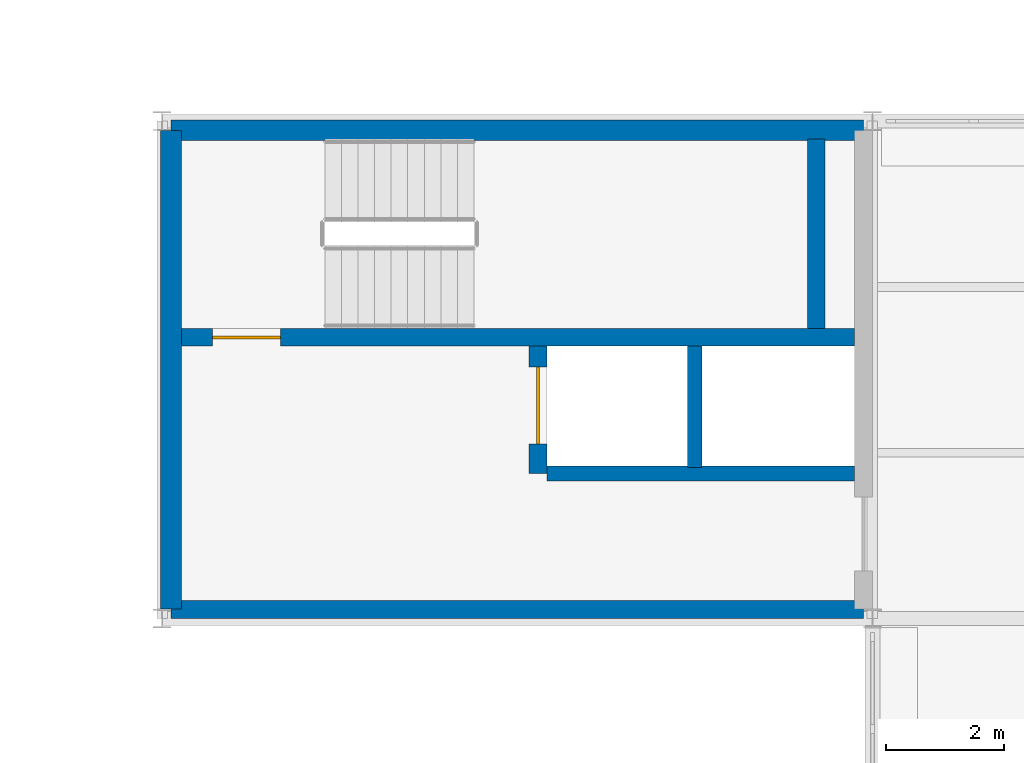
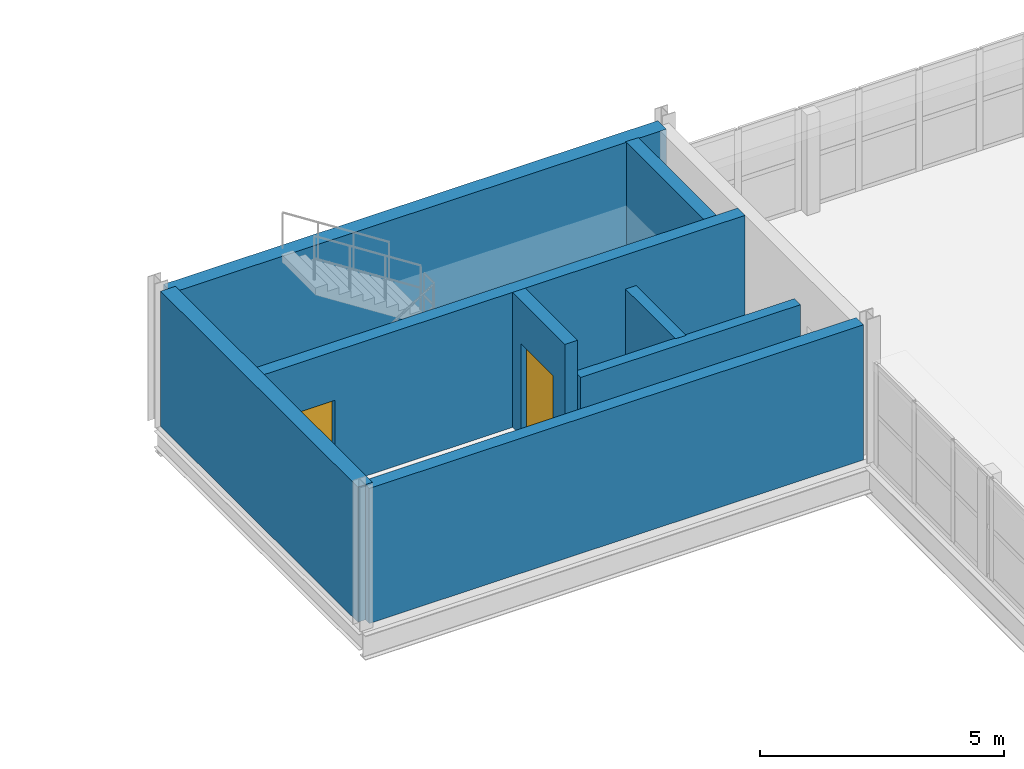
# One storey, part 64 of 79: 8 walls, 2 doors, 2 openings.
"""IFC4 building model written with IfcOpenShell, lengths in metres."""

from ifc_helpers import new_model, si_unit, direction, frame, frame_2d, origin, place, context, subcontext, project, spatial, rectangle, extrude, material, layer, layer_set, type_object, element, fill, save


model = new_model("IFC4")

# Units and contexts
model_context = context("Model", 3, precision=1e-05, world=origin(), true_north=direction((0.0, 1.0)))
body_context = subcontext(model_context, "Body", "Model", "MODEL_VIEW")
ifc_project = project(units=[si_unit("LENGTHUNIT", "METRE"), si_unit("AREAUNIT", "SQUARE_METRE"), si_unit("VOLUMEUNIT", "CUBIC_METRE"), si_unit("PLANEANGLEUNIT", "RADIAN"), si_unit("MASSUNIT", "GRAM", prefix="KILO"), si_unit("THERMODYNAMICTEMPERATUREUNIT", "KELVIN"), si_unit("POWERUNIT", "WATT")], contexts=[model_context])

# Site, building, storey
site_placement = place(None, origin())
site = spatial("IfcSite", under=ifc_project, at=site_placement, CompositionType="ELEMENT")
building_placement = place(site_placement, origin())
building = spatial("IfcBuilding", under=site, at=building_placement, Name="Tembeka Court Mobility Hub", CompositionType="ELEMENT")
storey_placement = place(building_placement, frame((0.0, 0.0, 9.0)))
storey = spatial("IfcBuildingStorey", under=building, at=storey_placement, Name="L02", CompositionType="ELEMENT", Elevation=9.0)

# Walls
ifc_material_1 = material(Name="Concrete C40/50", Category="concrete")
ifc_layer_1 = layer(ifc_material_1, 0.25)
ifc_layer_set_1 = layer_set([ifc_layer_1], Name="Concrete C40/50")
wall_type_1 = type_object("IfcWallType", Name="WL-IW01", PredefinedType="PARTITIONING", material=ifc_layer_set_1)
wall_1_placement = place(storey_placement, frame((122.89990234375, 40.85009765625, 0.0), z_axis=(0.0, 0.0, 1.0), x_axis=(1.0, 0.0, 0.0)))
element("IfcWall", 1, at=wall_1_placement, inside=storey, type_object=wall_type_1, Name="Wall IW01 (IW-L02-0283)", PredefinedType="PARTITIONING", context=body_context, shape_type="SweptSolid", body=[
    extrude(rectangle(XDim=5.2001953125, YDim=0.25, at=frame_2d((2.60009765625, 0.0))), origin(), (0.0, 0.0, 1.0), 2.52490234375),
])
wall_2_placement = place(storey_placement, frame((125.39990234375, 40.949951171875, 0.0), z_axis=(0.0, 0.0, 1.0), x_axis=(0.0, 1.0, 0.0)))
element("IfcWall", 2, at=wall_2_placement, inside=storey, type_object=wall_type_1, Name="Wall IW01 (IW-L02-0284)", PredefinedType="PARTITIONING", context=body_context, shape_type="SweptSolid", body=[
    extrude(rectangle(XDim=2.050048828125, YDim=0.25, at=frame_2d((1.02490234375, 0.0))), origin(), (0.0, 0.0, 1.0), 2.52490234375),
])
ifc_layer_2 = layer(ifc_material_1, 0.300048828125)
ifc_layer_set_2 = layer_set([ifc_layer_2], Name="Concrete C40/50")
wall_type_2 = type_object("IfcWallType", Name="WL-SW01", PredefinedType="SHEAR", material=ifc_layer_set_2)
wall_3_placement = place(storey_placement, frame((116.552490234375, 38.550048828125, 0.0), z_axis=(0.0, 0.0, 1.0), x_axis=(1.0, 0.0, 0.0)))
element("IfcWall", 3, at=wall_3_placement, inside=storey, type_object=wall_type_2, Name="Wall SW01 (IW-L02-0277)", PredefinedType="SHEAR", context=body_context, shape_type="SweptSolid", body=[
    extrude(rectangle(XDim=11.695068359375, YDim=0.300048828125, at=frame_2d((5.84765625, 0.0))), origin(), (0.0, 0.0, 1.0), 3.3798828125),
])
wall_4_placement = place(storey_placement, frame((127.449951171875, 43.300048828125, 0.0), z_axis=(0.0, 0.0, 1.0), x_axis=(0.0, 1.0, 0.0)))
element("IfcWall", 4, at=wall_4_placement, inside=storey, type_object=wall_type_2, Name="Wall SW01 (IW-L02-0280)", PredefinedType="SHEAR", context=body_context, shape_type="SweptSolid", body=[
    extrude(rectangle(XDim=3.199951171875, YDim=0.300048828125, at=frame_2d((1.60009765625, 0.0))), origin(), (0.0, 0.0, 1.0), 3.3798828125),
])

# Wall, opening, door
wall_5_placement = place(storey_placement, frame((116.699951171875, 43.14990234375, 0.0), z_axis=(0.0, 0.0, 1.0), x_axis=(1.0, 0.0, 0.0)))
wall_5 = element("IfcWall", 5, at=wall_5_placement, inside=storey, type_object=wall_type_2, Name="Wall SW01 (IW-L02-0281)", PredefinedType="SHEAR", context=body_context, shape_type="SweptSolid", body=[
    extrude(rectangle(XDim=11.400146484375, YDim=0.300048828125, at=frame_2d((5.7001953125, 0.0))), origin(), (0.0, 0.0, 1.0), 3.3798828125),
])
opening_1_placement = place(wall_5_placement, frame((0.550048828125, 0.0, 0.0)))
opening_1 = element("IfcOpeningElement", 6, at=opening_1_placement, cuts=wall_5, Name="Opening FD03", PredefinedType="OPENING", context=body_context, shape_type="SweptSolid", body=[
    extrude(rectangle(XDim=1.14990234375, YDim=2.14990234375, at=frame_2d((0.574951171875, 1.074951171875))), frame((0.0, 0.16015625, 0.0), z_axis=(0.0, -1.0, 0.0), x_axis=(1.0, 0.0, 0.0)), (0.0, 0.0, 1.0), 0.320068359375),
])
ifc_material_2 = material(Name="Galvanised steel fire/shutter doorset", Category="steel")
door_type_1 = type_object("IfcDoorType", Name="DR-FD03", OperationType="NOTDEFINED", PredefinedType="DOOR", material=ifc_material_2)
door_1_placement = place(opening_1_placement, origin())
door_1 = element("IfcDoor", 7, at=door_1_placement, inside=storey, type_object=door_type_1, Name="Door FD03-0125", OperationType="SINGLE_SWING_LEFT", OverallHeight=2.14990234375, OverallWidth=1.14990234375, PredefinedType="DOOR", context=body_context, shape_type="SweptSolid", body=[
    extrude(rectangle(XDim=1.14990234375, YDim=2.14990234375, at=frame_2d((0.574951171875, 1.074951171875))), frame((0.0, 0.02490234375, 0.0), z_axis=(0.0, -1.0, 0.0), x_axis=(1.0, 0.0, 0.0)), (0.0, 0.0, 1.0), 0.050048828125),
])
fill(opening_1, door_1)

wall_6_placement = place(storey_placement, frame((122.75, 40.85009765625, 0.0), z_axis=(0.0, 0.0, 1.0), x_axis=(0.0, 1.0, 0.0)))
wall_6 = element("IfcWall", 8, at=wall_6_placement, inside=storey, type_object=wall_type_2, Name="Wall SW01 (IW-L02-0282)", PredefinedType="SHEAR", context=body_context, shape_type="SweptSolid", body=[
    extrude(rectangle(XDim=2.14990234375, YDim=0.300048828125, at=frame_2d((1.074951171875, 0.0))), origin(), (0.0, 0.0, 1.0), 3.3798828125),
])
opening_2_placement = place(wall_6_placement, frame((0.5, 0.0, 0.0)))
opening_2 = element("IfcOpeningElement", 9, at=opening_2_placement, cuts=wall_6, Name="Opening LD02", PredefinedType="OPENING", context=body_context, shape_type="SweptSolid", body=[
    extrude(rectangle(XDim=1.300048828125, YDim=2.300048828125, at=frame_2d((0.64990234375, 1.14990234375))), frame((0.0, 0.16015625, 0.0), z_axis=(0.0, -1.0, 0.0), x_axis=(1.0, 0.0, 0.0)), (0.0, 0.0, 1.0), 0.320068359375),
])
door_type_2 = type_object("IfcDoorType", Name="DR-LD02", OperationType="SLIDING_TO_LEFT", PredefinedType="DOOR", material=ifc_material_2)
door_2_placement = place(opening_2_placement, origin())
door_2 = element("IfcDoor", 10, at=door_2_placement, inside=storey, type_object=door_type_2, Name="Lift LF07 landing door L02", OperationType="SLIDING_TO_LEFT", OverallHeight=2.300048828125, OverallWidth=1.300048828125, PredefinedType="DOOR", context=body_context, shape_type="SweptSolid", body=[
    extrude(rectangle(XDim=1.300048828125, YDim=2.300048828125, at=frame_2d((0.64990234375, 1.14990234375))), frame((0.0, 0.02490234375, 0.0), z_axis=(0.0, -1.0, 0.0), x_axis=(1.0, 0.0, 0.0)), (0.0, 0.0, 1.0), 0.050048828125),
])
fill(opening_2, door_2)

# Walls
ifc_layer_3 = layer(ifc_material_1, 0.35009765625)
ifc_layer_set_3 = layer_set([ifc_layer_3], Name="Concrete C40/50")
wall_type_3 = type_object("IfcWallType", Name="WL-SW02", PredefinedType="SHEAR", material=ifc_layer_set_3)
wall_7_placement = place(storey_placement, frame((116.552490234375, 46.64990234375, 0.0), z_axis=(0.0, 0.0, 1.0), x_axis=(1.0, 0.0, 0.0)))
element("IfcWall", 11, at=wall_7_placement, inside=storey, type_object=wall_type_3, Name="Wall SW02 (IW-L02-0276)", PredefinedType="SHEAR", context=body_context, shape_type="SweptSolid", body=[
    extrude(rectangle(XDim=11.695068359375, YDim=0.35009765625, at=frame_2d((5.84765625, 0.0))), origin(), (0.0, 0.0, 1.0), 3.3798828125),
])
wall_8_placement = place(storey_placement, frame((116.550048828125, 38.55859375, 0.0), z_axis=(0.0, 0.0, 1.0), x_axis=(0.0, 1.0, 0.0)))
element("IfcWall", 12, at=wall_8_placement, inside=storey, type_object=wall_type_3, Name="Wall SW02 (IW-L02-0278)", PredefinedType="SHEAR", context=body_context, shape_type="SweptSolid", body=[
    extrude(rectangle(XDim=8.0830078125, YDim=0.35009765625, at=frame_2d((4.04150390625, 0.0))), origin(), (0.0, 0.0, 1.0), 3.3798828125),
])

save(model, "model.ifc")
